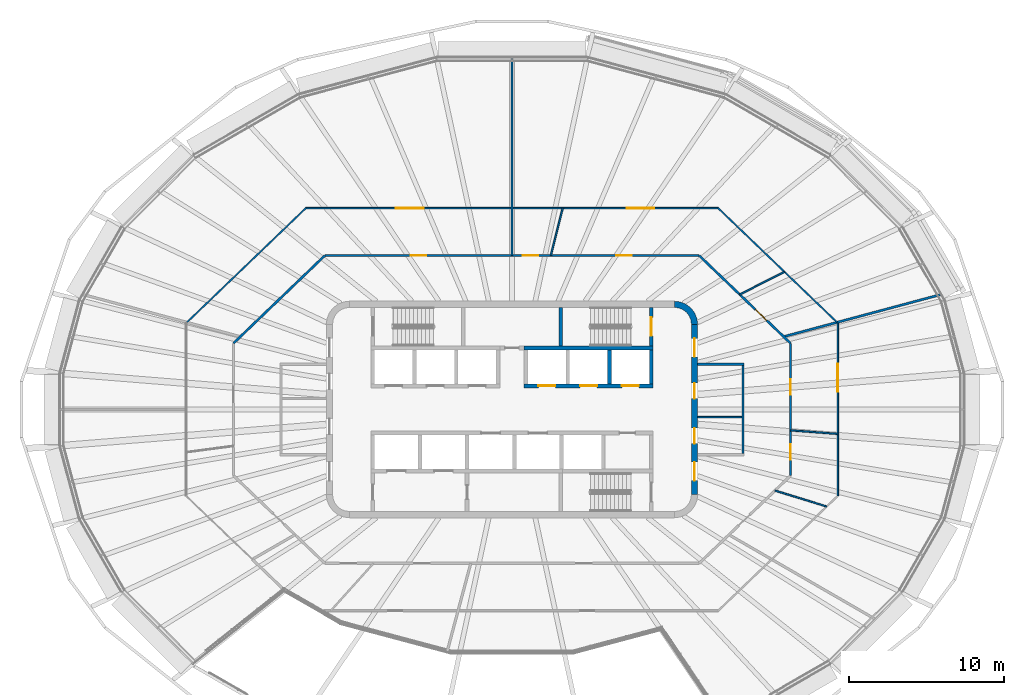
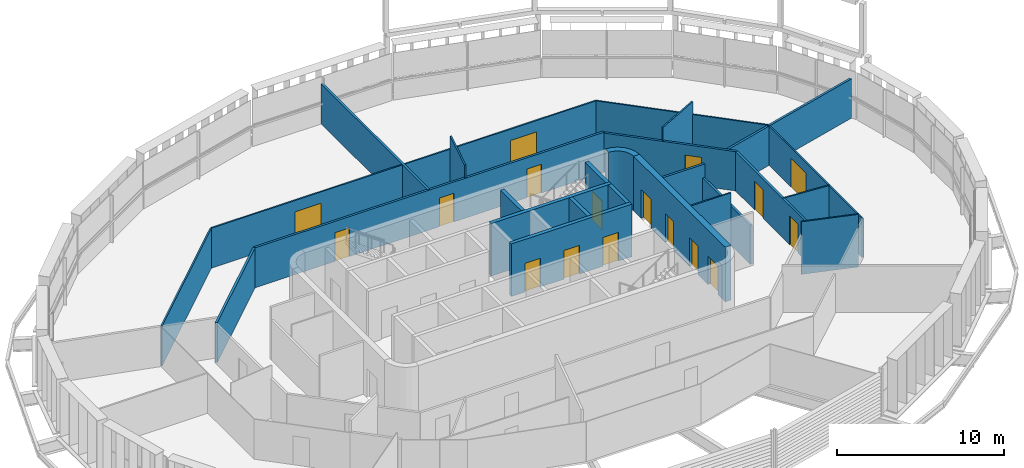
# One storey, part 11 of 19: 25 walls, 17 doors, 17 openings.
"""IFC4 building model written with IfcOpenShell, lengths in metres."""

from ifc_helpers import new_model, si_unit, direction, frame, frame_2d, origin, place, context, subcontext, project, spatial, polyline, rectangle, outline, extrude, material, layer, layer_set, type_object, element, fill, save


model = new_model("IFC4")

# Units and contexts
model_context = context("Model", 3, precision=1e-05, world=origin(), true_north=direction((0.0, 1.0)))
body_context = subcontext(model_context, "Body", "Model", "MODEL_VIEW")
ifc_project = project(units=[si_unit("LENGTHUNIT", "METRE"), si_unit("AREAUNIT", "SQUARE_METRE"), si_unit("VOLUMEUNIT", "CUBIC_METRE"), si_unit("PLANEANGLEUNIT", "RADIAN"), si_unit("MASSUNIT", "GRAM", prefix="KILO")], contexts=[model_context])

# Site, building, storey
site_placement = place(None, origin())
site = spatial("IfcSite", under=ifc_project, at=site_placement, CompositionType="ELEMENT")
building_placement = place(site_placement, origin())
building = spatial("IfcBuilding", under=site, at=building_placement, Name="Sahrelin Media Tower", CompositionType="ELEMENT")
storey_placement = place(building_placement, frame((0.0, 0.0, 279.0)))
storey = spatial("IfcBuildingStorey", under=building, at=storey_placement, Name="L61", CompositionType="ELEMENT", Elevation=279.0)

# Wall, openings, doors
ifc_material_1 = material(Name="Concrete C60/75", Category="concrete")
ifc_layer_1 = layer(ifc_material_1, 0.39990234375)
ifc_layer_set_1 = layer_set([ifc_layer_1], Name="Core wall 400")
wall_type_1 = type_object("IfcWallType", Name="Core wall 400", PredefinedType="SHEAR", material=ifc_layer_set_1)
wall_1_placement = place(storey_placement, frame((11.800048828125, -5.5, 0.0), z_axis=(0.0, 0.0, 1.0), x_axis=(0.0, 1.0, 0.0)))
wall_1 = element("IfcWall", 1, at=wall_1_placement, inside=storey, type_object=wall_type_1, Name="Core wall E L61", PredefinedType="SHEAR", context=body_context, shape_type="SweptSolid", body=[
    extrude(rectangle(XDim=11.0, YDim=0.39990234375, at=frame_2d((5.5, 0.0))), origin(), (0.0, 0.0, 1.0), 4.0),
])
opening_1_placement = place(wall_1_placement, frame((3.300048828125, 0.0, 0.0)))
opening_1 = element("IfcOpeningElement", 2, at=opening_1_placement, cuts=wall_1, Name="Opening L61-D10", PredefinedType="OPENING", context=body_context, shape_type="SweptSolid", body=[
    extrude(rectangle(XDim=1.0, YDim=2.10009765625, at=frame_2d((0.5, 1.050048828125))), frame((0.0, 0.199951171875, 0.0), z_axis=(0.0, -1.0, 0.0), x_axis=(1.0, 0.0, 0.0)), (0.0, 0.0, 1.0), 0.39990234375),
])
opening_2_placement = place(wall_1_placement, frame((6.199951171875, 0.0, 0.0)))
opening_2 = element("IfcOpeningElement", 3, at=opening_2_placement, cuts=wall_1, Name="Opening L61-D11", PredefinedType="OPENING", context=body_context, shape_type="SweptSolid", body=[
    extrude(rectangle(XDim=1.0, YDim=2.10009765625, at=frame_2d((0.5, 1.050048828125))), frame((0.0, 0.199951171875, 0.0), z_axis=(0.0, -1.0, 0.0), x_axis=(1.0, 0.0, 0.0)), (0.0, 0.0, 1.0), 0.39990234375),
])
opening_3_placement = place(wall_1_placement, frame((0.89990234375, 0.0, 0.0)))
opening_3 = element("IfcOpeningElement", 4, at=opening_3_placement, cuts=wall_1, Name="Opening L61-D14", PredefinedType="OPENING", context=body_context, shape_type="SweptSolid", body=[
    extrude(rectangle(XDim=1.199951171875, YDim=2.10009765625, at=frame_2d((0.60009765625, 1.050048828125))), frame((0.0, 0.199951171875, 0.0), z_axis=(0.0, -1.0, 0.0), x_axis=(1.0, 0.0, 0.0)), (0.0, 0.0, 1.0), 0.39990234375),
])
opening_4_placement = place(wall_1_placement, frame((8.89990234375, 0.0, 0.0)))
opening_4 = element("IfcOpeningElement", 5, at=opening_4_placement, cuts=wall_1, Name="Opening L61-D15", PredefinedType="OPENING", context=body_context, shape_type="SweptSolid", body=[
    extrude(rectangle(XDim=1.199951171875, YDim=2.10009765625, at=frame_2d((0.60009765625, 1.050048828125))), frame((0.0, 0.199951171875, 0.0), z_axis=(0.0, -1.0, 0.0), x_axis=(1.0, 0.0, 0.0)), (0.0, 0.0, 1.0), 0.39990234375),
])
ifc_material_2 = material(Name="Steel fire door leaf", Category="steel")
door_type_1 = type_object("IfcDoorType", Name="Fire door 1000 x 2100 EI 60", OperationType="NOTDEFINED", PredefinedType="DOOR", material=ifc_material_2)
door_1_placement = place(opening_1_placement, origin())
door_1 = element("IfcDoor", 6, at=door_1_placement, inside=storey, type_object=door_type_1, Name="Core room door", OperationType="SINGLE_SWING_RIGHT", OverallHeight=2.10009765625, OverallWidth=1.0, PredefinedType="DOOR", context=body_context, shape_type="SweptSolid", body=[
    extrude(rectangle(XDim=1.0, YDim=2.10009765625, at=frame_2d((0.5, 1.050048828125))), frame((0.0, 0.02490234375, 0.0), z_axis=(0.0, -1.0, 0.0), x_axis=(1.0, 0.0, 0.0)), (0.0, 0.0, 1.0), 0.050048828125),
])
fill(opening_1, door_1)
door_2_placement = place(opening_2_placement, origin())
door_2 = element("IfcDoor", 7, at=door_2_placement, inside=storey, type_object=door_type_1, Name="Core room door", OperationType="SINGLE_SWING_RIGHT", OverallHeight=2.10009765625, OverallWidth=1.0, PredefinedType="DOOR", context=body_context, shape_type="SweptSolid", body=[
    extrude(rectangle(XDim=1.0, YDim=2.10009765625, at=frame_2d((0.5, 1.050048828125))), frame((0.0, 0.02490234375, 0.0), z_axis=(0.0, -1.0, 0.0), x_axis=(1.0, 0.0, 0.0)), (0.0, 0.0, 1.0), 0.050048828125),
])
fill(opening_2, door_2)
door_type_2 = type_object("IfcDoorType", Name="Lobby door 1200 x 2100 EI 60", OperationType="NOTDEFINED", PredefinedType="DOOR", material=ifc_material_2)
door_3_placement = place(opening_3_placement, origin())
door_3 = element("IfcDoor", 8, at=door_3_placement, inside=storey, type_object=door_type_2, Name="Lobby door", OperationType="SINGLE_SWING_LEFT", OverallHeight=2.10009765625, OverallWidth=1.199951171875, PredefinedType="DOOR", context=body_context, shape_type="SweptSolid", body=[
    extrude(rectangle(XDim=1.199951171875, YDim=2.10009765625, at=frame_2d((0.60009765625, 1.050048828125))), frame((0.0, 0.02490234375, 0.0), z_axis=(0.0, -1.0, 0.0), x_axis=(1.0, 0.0, 0.0)), (0.0, 0.0, 1.0), 0.050048828125),
])
fill(opening_3, door_3)
door_4_placement = place(opening_4_placement, origin())
door_4 = element("IfcDoor", 9, at=door_4_placement, inside=storey, type_object=door_type_2, Name="Lobby door", OperationType="SINGLE_SWING_LEFT", OverallHeight=2.10009765625, OverallWidth=1.199951171875, PredefinedType="DOOR", context=body_context, shape_type="SweptSolid", body=[
    extrude(rectangle(XDim=1.199951171875, YDim=2.10009765625, at=frame_2d((0.60009765625, 1.050048828125))), frame((0.0, 0.02490234375, 0.0), z_axis=(0.0, -1.0, 0.0), x_axis=(1.0, 0.0, 0.0)), (0.0, 0.0, 1.0), 0.050048828125),
])
fill(opening_4, door_4)

# Walls
wall_2_placement = place(storey_placement, origin())
element("IfcWall", 10, at=wall_2_placement, inside=storey, type_object=wall_type_1, Name="Core wall corner NE L61", PredefinedType="SHEAR", context=body_context, shape_type="SweptSolid", body=[
    extrude(outline(polyline([(10.5, 7.0), (10.5, 6.596435546875), (10.78369140625, 6.55908203125), (11.04833984375, 6.44970703125), (11.275390625, 6.275390625), (11.44970703125, 6.04833984375), (11.55908203125, 5.78369140625), (11.596435546875, 5.5), (12.0, 5.5), (11.948974609375, 5.88818359375), (11.799072265625, 6.25), (11.560791015625, 6.560791015625), (11.25, 6.799072265625), (10.88818359375, 6.948974609375), (10.5, 7.0)])), origin(), (0.0, 0.0, 1.0), 4.0),
])
ifc_material_3 = material(Name="Fire-rated gypsum board partition")
ifc_layer_2 = layer(ifc_material_3, 0.10009765625)
ifc_layer_set_2 = layer_set([ifc_layer_2], Name="Fire-rated partition 100")
wall_type_2 = type_object("IfcWallType", Name="Fire-rated partition 100", PredefinedType="PARTITIONING", material=ifc_layer_set_2)
wall_3_placement = place(storey_placement, frame((12.0, -0.5, 0.0), z_axis=(0.0, 0.0, 1.0), x_axis=(1.0, 0.0, 0.0)))
element("IfcWall", 11, at=wall_3_placement, inside=storey, type_object=wall_type_2, Name="Core room partition", PredefinedType="PARTITIONING", context=body_context, shape_type="SweptSolid", body=[
    extrude(rectangle(XDim=2.85009765625, YDim=0.10009765625, at=frame_2d((1.425048828125, 0.0))), origin(), (0.0, 0.0, 1.0), 3.85009765625),
])
ifc_layer_3 = layer(ifc_material_3, 0.14990234375)
ifc_layer_set_3 = layer_set([ifc_layer_3], Name="Fire-rated partition 150")
wall_type_3 = type_object("IfcWallType", Name="Fire-rated partition 150", PredefinedType="PARTITIONING", material=ifc_layer_set_3)
wall_4_placement = place(storey_placement, frame((14.925048828125, -2.85009765625, 0.0), z_axis=(0.0, 0.0, 1.0), x_axis=(0.0, 1.0, 0.0)))
element("IfcWall", 12, at=wall_4_placement, inside=storey, type_object=wall_type_3, Name="Core room fire partition", PredefinedType="PARTITIONING", context=body_context, shape_type="SweptSolid", body=[
    extrude(rectangle(XDim=5.7001953125, YDim=0.14990234375, at=frame_2d((2.85009765625, 0.0))), origin(), (0.0, 0.0, 1.0), 2.8681640625),
])
wall_5_placement = place(storey_placement, frame((12.0, 2.925048828125, 0.0), z_axis=(0.0, 0.0, 1.0), x_axis=(1.0, 0.0, 0.0)))
element("IfcWall", 13, at=wall_5_placement, inside=storey, type_object=wall_type_3, Name="Core room fire partition", PredefinedType="PARTITIONING", context=body_context, shape_type="SweptSolid", body=[
    extrude(rectangle(XDim=3.0, YDim=0.14990234375, at=frame_2d((1.5, 0.0))), origin(), (0.0, 0.0, 1.0), 3.85009765625),
])

# Wall, opening, door
wall_6_placement = place(storey_placement, frame((12.0947265625, 9.94873046875, 0.0), z_axis=(0.0, 0.0, 1.0), x_axis=(0.721348586031, -0.692572174889, 0.0)))
wall_6 = element("IfcWall", 14, at=wall_6_placement, inside=storey, type_object=wall_type_3, Name="Wall", PredefinedType="PARTITIONING", context=body_context, shape_type="SweptSolid", body=[
    extrude(rectangle(XDim=8.18701171875, YDim=0.14990234375, at=frame_2d((4.093505859375, 0.0))), origin(), (0.0, 0.0, 1.0), 2.876953125),
])
opening_5_placement = place(wall_6_placement, frame((5.0498046875, 0.0, 0.0)))
opening_5 = element("IfcOpeningElement", 15, at=opening_5_placement, cuts=wall_6, Name="Opening L61-D22", PredefinedType="OPENING", context=body_context, shape_type="SweptSolid", body=[
    extrude(rectangle(XDim=1.0, YDim=2.10009765625, at=frame_2d((0.5, 1.050048828125))), frame((0.0, 0.074951171875, 0.0), z_axis=(0.0, -1.0, 0.0), x_axis=(1.0, 0.0, 0.0)), (0.0, 0.0, 1.0), 0.14990234375),
])
door_5_placement = place(opening_5_placement, origin())
door_5 = element("IfcDoor", 16, at=door_5_placement, inside=storey, type_object=door_type_1, Name="Fire door", OperationType="SINGLE_SWING_LEFT", OverallHeight=2.10009765625, OverallWidth=1.0, PredefinedType="DOOR", context=body_context, shape_type="SweptSolid", body=[
    extrude(rectangle(XDim=1.0, YDim=2.10009765625, at=frame_2d((0.5, 1.050048828125))), frame((0.0, 0.02490234375, 0.0), z_axis=(0.0, -1.0, 0.0), x_axis=(1.0, 0.0, 0.0)), (0.0, 0.0, 1.0), 0.050048828125),
])
fill(opening_5, door_5)

# Wall, openings, doors
wall_7_placement = place(storey_placement, frame((-12.094970703125, 9.948974609375, 0.0), z_axis=(0.0, 0.0, 1.0), x_axis=(1.0, 0.0, 0.0)))
wall_7 = element("IfcWall", 17, at=wall_7_placement, inside=storey, type_object=wall_type_3, Name="Wall", PredefinedType="PARTITIONING", context=body_context, shape_type="SweptSolid", body=[
    extrude(rectangle(XDim=24.18994140625, YDim=0.14990234375, at=frame_2d((12.094970703125, 0.0))), origin(), (0.0, 0.0, 1.0), 2.927001953125),
])
opening_6_placement = place(wall_7_placement, frame((18.846435546875, 0.0, 0.0)))
opening_6 = element("IfcOpeningElement", 18, at=opening_6_placement, cuts=wall_7, Name="Opening L61-D23", PredefinedType="OPENING", context=body_context, shape_type="SweptSolid", body=[
    extrude(rectangle(XDim=1.0, YDim=2.10009765625, at=frame_2d((0.5, 1.050048828125))), frame((0.0, 0.074951171875, 0.0), z_axis=(0.0, -1.0, 0.0), x_axis=(1.0, 0.0, 0.0)), (0.0, 0.0, 1.0), 0.14990234375),
])
opening_7_placement = place(wall_7_placement, frame((12.798095703125, 0.0, 0.0)))
opening_7 = element("IfcOpeningElement", 19, at=opening_7_placement, cuts=wall_7, Name="Opening L61-D24", PredefinedType="OPENING", context=body_context, shape_type="SweptSolid", body=[
    extrude(rectangle(XDim=1.0, YDim=2.10009765625, at=frame_2d((0.5, 1.050048828125))), frame((0.0, 0.074951171875, 0.0), z_axis=(0.0, -1.0, 0.0), x_axis=(1.0, 0.0, 0.0)), (0.0, 0.0, 1.0), 0.14990234375),
])
opening_8_placement = place(wall_7_placement, frame((5.547607421875, 0.0, 0.0)))
opening_8 = element("IfcOpeningElement", 20, at=opening_8_placement, cuts=wall_7, Name="Opening L61-D26", PredefinedType="OPENING", context=body_context, shape_type="SweptSolid", body=[
    extrude(rectangle(XDim=1.0, YDim=2.10009765625, at=frame_2d((0.5, 1.050048828125))), frame((0.0, 0.074951171875, 0.0), z_axis=(0.0, -1.0, 0.0), x_axis=(1.0, 0.0, 0.0)), (0.0, 0.0, 1.0), 0.14990234375),
])
door_6_placement = place(opening_6_placement, origin())
door_6 = element("IfcDoor", 21, at=door_6_placement, inside=storey, type_object=door_type_1, Name="Fire door", OperationType="SINGLE_SWING_RIGHT", OverallHeight=2.10009765625, OverallWidth=1.0, PredefinedType="DOOR", context=body_context, shape_type="SweptSolid", body=[
    extrude(rectangle(XDim=1.0, YDim=2.10009765625, at=frame_2d((0.5, 1.050048828125))), frame((0.0, 0.02490234375, 0.0), z_axis=(0.0, -1.0, 0.0), x_axis=(1.0, 0.0, 0.0)), (0.0, 0.0, 1.0), 0.050048828125),
])
fill(opening_6, door_6)
door_7_placement = place(opening_7_placement, origin())
door_7 = element("IfcDoor", 22, at=door_7_placement, inside=storey, type_object=door_type_1, Name="Fire door", OperationType="SINGLE_SWING_LEFT", OverallHeight=2.10009765625, OverallWidth=1.0, PredefinedType="DOOR", context=body_context, shape_type="SweptSolid", body=[
    extrude(rectangle(XDim=1.0, YDim=2.10009765625, at=frame_2d((0.5, 1.050048828125))), frame((0.0, 0.02490234375, 0.0), z_axis=(0.0, -1.0, 0.0), x_axis=(1.0, 0.0, 0.0)), (0.0, 0.0, 1.0), 0.050048828125),
])
fill(opening_7, door_7)
door_8_placement = place(opening_8_placement, origin())
door_8 = element("IfcDoor", 23, at=door_8_placement, inside=storey, type_object=door_type_1, Name="Fire door", OperationType="SINGLE_SWING_LEFT", OverallHeight=2.10009765625, OverallWidth=1.0, PredefinedType="DOOR", context=body_context, shape_type="SweptSolid", body=[
    extrude(rectangle(XDim=1.0, YDim=2.10009765625, at=frame_2d((0.5, 1.050048828125))), frame((0.0, 0.02490234375, 0.0), z_axis=(0.0, -1.0, 0.0), x_axis=(1.0, 0.0, 0.0)), (0.0, 0.0, 1.0), 0.050048828125),
])
fill(opening_8, door_8)

# Walls
wall_8_placement = place(storey_placement, frame((17.555908203125, 4.7041015625, 0.0), z_axis=(0.0, 0.0, 1.0), x_axis=(0.96591926591, 0.258843527528, 0.0)))
element("IfcWall", 24, at=wall_8_placement, inside=storey, type_object=wall_type_3, Name="Wall", PredefinedType="PARTITIONING", context=body_context, shape_type="SweptSolid", body=[
    extrude(rectangle(XDim=10.56298828125, YDim=0.14990234375, at=frame_2d((5.281494140625, 0.0))), origin(), (0.0, 0.0, 1.0), 2.876953125),
])
wall_9_placement = place(storey_placement, frame((-18.0, 4.278076171875, 0.0), z_axis=(0.0, 0.0, 1.0), x_axis=(0.72131938425, 0.692602588722, 0.0)))
element("IfcWall", 25, at=wall_9_placement, inside=storey, type_object=wall_type_3, Name="Wall", PredefinedType="PARTITIONING", context=body_context, shape_type="SweptSolid", body=[
    extrude(rectangle(XDim=8.18701171875, YDim=0.14990234375, at=frame_2d((4.093505859375, 0.0))), origin(), (0.0, 0.0, 1.0), 2.927001953125),
])

# Wall, openings, doors
wall_10_placement = place(storey_placement, frame((18.0, -4.278076171875, 0.0), z_axis=(0.0, 0.0, 1.0), x_axis=(0.0, 1.0, 0.0)))
wall_10 = element("IfcWall", 26, at=wall_10_placement, inside=storey, type_object=wall_type_3, Name="Wall", PredefinedType="PARTITIONING", context=body_context, shape_type="SweptSolid", body=[
    extrude(rectangle(XDim=8.55615234375, YDim=0.14990234375, at=frame_2d((4.278076171875, 0.0))), origin(), (0.0, 0.0, 1.0), 2.8681640625),
])
opening_9_placement = place(wall_10_placement, frame((1.0166015625, 0.0, 0.0)))
opening_9 = element("IfcOpeningElement", 27, at=opening_9_placement, cuts=wall_10, Name="Opening L61-D19", PredefinedType="OPENING", context=body_context, shape_type="SweptSolid", body=[
    extrude(rectangle(XDim=1.0, YDim=2.10009765625, at=frame_2d((0.5, 1.050048828125))), frame((0.0, 0.074951171875, 0.0), z_axis=(0.0, -1.0, 0.0), x_axis=(1.0, 0.0, 0.0)), (0.0, 0.0, 1.0), 0.14990234375),
])
opening_10_placement = place(wall_10_placement, frame((5.242431640625, 0.0, 0.0)))
opening_10 = element("IfcOpeningElement", 28, at=opening_10_placement, cuts=wall_10, Name="Opening L61-D20", PredefinedType="OPENING", context=body_context, shape_type="SweptSolid", body=[
    extrude(rectangle(XDim=1.0, YDim=2.10009765625, at=frame_2d((0.5, 1.050048828125))), frame((0.0, 0.074951171875, 0.0), z_axis=(0.0, -1.0, 0.0), x_axis=(1.0, 0.0, 0.0)), (0.0, 0.0, 1.0), 0.14990234375),
])
door_9_placement = place(opening_9_placement, origin())
door_9 = element("IfcDoor", 29, at=door_9_placement, inside=storey, type_object=door_type_1, Name="Fire door", OperationType="SINGLE_SWING_LEFT", OverallHeight=2.10009765625, OverallWidth=1.0, PredefinedType="DOOR", context=body_context, shape_type="SweptSolid", body=[
    extrude(rectangle(XDim=1.0, YDim=2.10009765625, at=frame_2d((0.5, 1.050048828125))), frame((0.0, 0.02490234375, 0.0), z_axis=(0.0, -1.0, 0.0), x_axis=(1.0, 0.0, 0.0)), (0.0, 0.0, 1.0), 0.050048828125),
])
fill(opening_9, door_9)
door_10_placement = place(opening_10_placement, origin())
door_10 = element("IfcDoor", 30, at=door_10_placement, inside=storey, type_object=door_type_1, Name="Fire door", OperationType="SINGLE_SWING_RIGHT", OverallHeight=2.10009765625, OverallWidth=1.0, PredefinedType="DOOR", context=body_context, shape_type="SweptSolid", body=[
    extrude(rectangle(XDim=1.0, YDim=2.10009765625, at=frame_2d((0.5, 1.050048828125))), frame((0.0, 0.02490234375, 0.0), z_axis=(0.0, -1.0, 0.0), x_axis=(1.0, 0.0, 0.0)), (0.0, 0.0, 1.0), 0.050048828125),
])
fill(opening_10, door_10)

# Wall
wall_11_placement = place(storey_placement, frame((0.0, 9.948974609375, 0.0), z_axis=(0.0, 0.0, 1.0), x_axis=(0.0, 1.0, 0.0)))
element("IfcWall", 31, at=wall_11_placement, inside=storey, type_object=wall_type_3, Name="Wall", PredefinedType="PARTITIONING", context=body_context, shape_type="SweptSolid", body=[
    extrude(rectangle(XDim=12.817138671875, YDim=0.14990234375, at=frame_2d((6.40869140625, 0.0))), origin(), (0.0, 0.0, 1.0), 2.927001953125),
])

# Wall, openings, doors
ifc_layer_4 = layer(ifc_material_1, 0.25)
ifc_layer_set_4 = layer_set([ifc_layer_4], Name="Lift shaft wall 250")
wall_type_4 = type_object("IfcWallType", Name="Lift shaft wall 250", PredefinedType="SOLIDWALL", material=ifc_layer_set_4)
wall_12_placement = place(storey_placement, frame((0.77490234375, 1.52490234375, 0.0), z_axis=(0.0, 0.0, 1.0), x_axis=(1.0, 0.0, 0.0)))
wall_12 = element("IfcWall", 32, at=wall_12_placement, inside=storey, type_object=wall_type_4, Name="Lift shaft wall", PredefinedType="SOLIDWALL", context=body_context, shape_type="SweptSolid", body=[
    extrude(rectangle(XDim=8.35009765625, YDim=0.25, at=frame_2d((4.175048828125, 0.0))), origin(), (0.0, 0.0, 1.0), 3.85009765625),
])
opening_11_placement = place(wall_12_placement, frame((0.925048828125, 0.0, 0.0)))
opening_11 = element("IfcOpeningElement", 33, at=opening_11_placement, cuts=wall_12, Name="Opening L61-LD-HR4", PredefinedType="OPENING", context=body_context, shape_type="SweptSolid", body=[
    extrude(rectangle(XDim=1.10009765625, YDim=2.10009765625, at=frame_2d((0.550048828125, 1.050048828125))), frame((0.0, 0.125, 0.0), z_axis=(0.0, -1.0, 0.0), x_axis=(1.0, 0.0, 0.0)), (0.0, 0.0, 1.0), 0.25),
])
opening_12_placement = place(wall_12_placement, frame((3.625, 0.0, 0.0)))
opening_12 = element("IfcOpeningElement", 34, at=opening_12_placement, cuts=wall_12, Name="Opening L61-LD-HR5", PredefinedType="OPENING", context=body_context, shape_type="SweptSolid", body=[
    extrude(rectangle(XDim=1.10009765625, YDim=2.10009765625, at=frame_2d((0.550048828125, 1.050048828125))), frame((0.0, 0.125, 0.0), z_axis=(0.0, -1.0, 0.0), x_axis=(1.0, 0.0, 0.0)), (0.0, 0.0, 1.0), 0.25),
])
opening_13_placement = place(wall_12_placement, frame((6.324951171875, 0.0, 0.0)))
opening_13 = element("IfcOpeningElement", 35, at=opening_13_placement, cuts=wall_12, Name="Opening L61-LD-HR6", PredefinedType="OPENING", context=body_context, shape_type="SweptSolid", body=[
    extrude(rectangle(XDim=1.10009765625, YDim=2.10009765625, at=frame_2d((0.550048828125, 1.050048828125))), frame((0.0, 0.125, 0.0), z_axis=(0.0, -1.0, 0.0), x_axis=(1.0, 0.0, 0.0)), (0.0, 0.0, 1.0), 0.25),
])
ifc_material_4 = material(Name="Stainless steel", Category="steel")
door_type_3 = type_object("IfcDoorType", Name="Lift landing door 1100 x 2100 EI 120", OperationType="DOUBLE_DOOR_SLIDING", PredefinedType="DOOR", material=ifc_material_4)
door_11_placement = place(opening_11_placement, origin())
door_11 = element("IfcDoor", 36, at=door_11_placement, inside=storey, type_object=door_type_3, Name="Lift landing door HR4", OperationType="DOUBLE_DOOR_SLIDING", OverallHeight=2.10009765625, OverallWidth=1.10009765625, PredefinedType="DOOR", context=body_context, shape_type="SweptSolid", body=[
    extrude(rectangle(XDim=1.10009765625, YDim=2.10009765625, at=frame_2d((0.550048828125, 1.050048828125))), frame((0.0, 0.02490234375, 0.0), z_axis=(0.0, -1.0, 0.0), x_axis=(1.0, 0.0, 0.0)), (0.0, 0.0, 1.0), 0.050048828125),
])
fill(opening_11, door_11)
door_12_placement = place(opening_12_placement, origin())
door_12 = element("IfcDoor", 37, at=door_12_placement, inside=storey, type_object=door_type_3, Name="Lift landing door HR5", OperationType="DOUBLE_DOOR_SLIDING", OverallHeight=2.10009765625, OverallWidth=1.10009765625, PredefinedType="DOOR", context=body_context, shape_type="SweptSolid", body=[
    extrude(rectangle(XDim=1.10009765625, YDim=2.10009765625, at=frame_2d((0.550048828125, 1.050048828125))), frame((0.0, 0.02490234375, 0.0), z_axis=(0.0, -1.0, 0.0), x_axis=(1.0, 0.0, 0.0)), (0.0, 0.0, 1.0), 0.050048828125),
])
fill(opening_12, door_12)
door_13_placement = place(opening_13_placement, origin())
door_13 = element("IfcDoor", 38, at=door_13_placement, inside=storey, type_object=door_type_3, Name="Lift landing door HR6", OperationType="DOUBLE_DOOR_SLIDING", OverallHeight=2.10009765625, OverallWidth=1.10009765625, PredefinedType="DOOR", context=body_context, shape_type="SweptSolid", body=[
    extrude(rectangle(XDim=1.10009765625, YDim=2.10009765625, at=frame_2d((0.550048828125, 1.050048828125))), frame((0.0, 0.02490234375, 0.0), z_axis=(0.0, -1.0, 0.0), x_axis=(1.0, 0.0, 0.0)), (0.0, 0.0, 1.0), 0.050048828125),
])
fill(opening_13, door_13)

# Walls
wall_13_placement = place(storey_placement, frame((0.77490234375, 3.97509765625, 0.0), z_axis=(0.0, 0.0, 1.0), x_axis=(1.0, 0.0, 0.0)))
element("IfcWall", 39, at=wall_13_placement, inside=storey, type_object=wall_type_4, Name="Lift shaft wall", PredefinedType="SOLIDWALL", context=body_context, shape_type="SweptSolid", body=[
    extrude(rectangle(XDim=8.35009765625, YDim=0.25, at=frame_2d((4.175048828125, 0.0))), origin(), (0.0, 0.0, 1.0), 3.85009765625),
])
for number, where, z_axis, x_axis, name in (
    (40, (9.0, 1.64990234375, 0.0), (0.0, 0.0, 1.0), (0.0, 1.0, 0.0), "Lift shaft wall"),
    (41, (6.300048828125, 1.64990234375, 0.0), (0.0, 0.0, 1.0), (0.0, 1.0, 0.0), "Lift shaft wall"),
):
    element("IfcWall", number, at=place(storey_placement, frame(where, z_axis=z_axis, x_axis=x_axis)), inside=storey, type_object=wall_type_4, Name=name, PredefinedType="SOLIDWALL", context=body_context, shape_type="SweptSolid", body=[
        extrude(rectangle(XDim=2.2001953125, YDim=0.25, at=frame_2d((1.10009765625, 0.0))), origin(), (0.0, 0.0, 1.0), 3.85009765625),
    ])
ifc_material_5 = material(Name="Gypsum board partition")
ifc_layer_5 = layer(ifc_material_5, 0.10009765625)
ifc_layer_set_5 = layer_set([ifc_layer_5], Name="Partition 100")
wall_type_5 = type_object("IfcWallType", Name="Partition 100", PredefinedType="PARTITIONING", material=ifc_layer_set_5)
wall_14_placement = place(storey_placement, frame((13.32568359375, 13.0087890625, 0.0), z_axis=(0.0, 0.0, 1.0), x_axis=(0.721273282207, -0.692650599057, 0.0)))
element("IfcWall", 42, at=wall_14_placement, inside=storey, type_object=wall_type_5, Name="Wall", PredefinedType="PARTITIONING", context=body_context, shape_type="SweptSolid", body=[
    extrude(rectangle(XDim=10.653564453125, YDim=0.10009765625, at=frame_2d((5.32666015625, 0.0))), origin(), (0.0, 0.0, 1.0), 2.927001953125),
])
wall_15_placement = place(storey_placement, frame((16.99609375, -5.242919921875, 0.0), z_axis=(0.0, 0.0, 1.0), x_axis=(0.955611410755, -0.294629991065, 0.0)))
element("IfcWall", 43, at=wall_15_placement, inside=storey, type_object=wall_type_5, Name="Wall", PredefinedType="PARTITIONING", context=body_context, shape_type="SweptSolid", body=[
    extrude(rectangle(XDim=3.499267578125, YDim=0.10009765625, at=frame_2d((1.74951171875, 0.0))), origin(), (0.0, 0.0, 1.0), 3.85009765625),
])
wall_16_placement = place(storey_placement, frame((18.0, -1.34912109375, 0.0), z_axis=(0.0, 0.0, 1.0), x_axis=(0.997217378468, -0.074548642383, 0.0)))
element("IfcWall", 44, at=wall_16_placement, inside=storey, type_object=wall_type_5, Name="Wall", PredefinedType="PARTITIONING", context=body_context, shape_type="SweptSolid", body=[
    extrude(rectangle(XDim=3.068603515625, YDim=0.10009765625, at=frame_2d((1.5341796875, 0.0))), origin(), (0.0, 0.0, 1.0), 2.8681640625),
])

# Wall, openings, doors
wall_17_placement = place(storey_placement, frame((-13.325927734375, 13.009033203125, 0.0), z_axis=(0.0, 0.0, 1.0), x_axis=(1.0, 0.0, 0.0)))
wall_17 = element("IfcWall", 45, at=wall_17_placement, inside=storey, type_object=wall_type_5, Name="Wall", PredefinedType="PARTITIONING", context=body_context, shape_type="SweptSolid", body=[
    extrude(rectangle(XDim=26.65185546875, YDim=0.10009765625, at=frame_2d((13.325927734375, 0.0))), origin(), (0.0, 0.0, 1.0), 2.927001953125),
])
opening_14_placement = place(wall_17_placement, frame((20.72900390625, 0.0, 0.0)))
opening_14 = element("IfcOpeningElement", 46, at=opening_14_placement, cuts=wall_17, Name="Opening L61-D25", PredefinedType="OPENING", context=body_context, shape_type="SweptSolid", body=[
    extrude(rectangle(XDim=1.800048828125, YDim=2.10009765625, at=frame_2d((0.89990234375, 1.050048828125))), frame((0.0, 0.050048828125, 0.0), z_axis=(0.0, -1.0, 0.0), x_axis=(1.0, 0.0, 0.0)), (0.0, 0.0, 1.0), 0.10009765625),
])
opening_15_placement = place(wall_17_placement, frame((5.81298828125, 0.0, 0.0)))
opening_15 = element("IfcOpeningElement", 47, at=opening_15_placement, cuts=wall_17, Name="Opening L61-D27", PredefinedType="OPENING", context=body_context, shape_type="SweptSolid", body=[
    extrude(rectangle(XDim=1.800048828125, YDim=2.10009765625, at=frame_2d((0.89990234375, 1.050048828125))), frame((0.0, 0.050048828125, 0.0), z_axis=(0.0, -1.0, 0.0), x_axis=(1.0, 0.0, 0.0)), (0.0, 0.0, 1.0), 0.10009765625),
])
ifc_material_6 = material(Name="Timber door leaf", Category="wood")
door_type_4 = type_object("IfcDoorType", Name="Double door 1800 x 2100", OperationType="DOUBLE_DOOR_SINGLE_SWING", PredefinedType="DOOR", material=ifc_material_6)
door_14_placement = place(opening_14_placement, origin())
door_14 = element("IfcDoor", 48, at=door_14_placement, inside=storey, type_object=door_type_4, Name="Double door", OperationType="DOUBLE_DOOR_SINGLE_SWING", OverallHeight=2.10009765625, OverallWidth=1.800048828125, PredefinedType="DOOR", context=body_context, shape_type="SweptSolid", body=[
    extrude(rectangle(XDim=1.800048828125, YDim=2.10009765625, at=frame_2d((0.89990234375, 1.050048828125))), frame((0.0, 0.02490234375, 0.0), z_axis=(0.0, -1.0, 0.0), x_axis=(1.0, 0.0, 0.0)), (0.0, 0.0, 1.0), 0.050048828125),
])
fill(opening_14, door_14)
door_15_placement = place(opening_15_placement, origin())
door_15 = element("IfcDoor", 49, at=door_15_placement, inside=storey, type_object=door_type_4, Name="Double door", OperationType="DOUBLE_DOOR_SINGLE_SWING", OverallHeight=2.10009765625, OverallWidth=1.800048828125, PredefinedType="DOOR", context=body_context, shape_type="SweptSolid", body=[
    extrude(rectangle(XDim=1.800048828125, YDim=2.10009765625, at=frame_2d((0.89990234375, 1.050048828125))), frame((0.0, 0.02490234375, 0.0), z_axis=(0.0, -1.0, 0.0), x_axis=(1.0, 0.0, 0.0)), (0.0, 0.0, 1.0), 0.050048828125),
])
fill(opening_15, door_15)

# Walls
wall_18_placement = place(storey_placement, frame((14.717041015625, 7.430908203125, 0.0), z_axis=(0.0, 0.0, 1.0), x_axis=(0.892430828446, 0.4511842378, 0.0)))
element("IfcWall", 50, at=wall_18_placement, inside=storey, type_object=wall_type_5, Name="Wall", PredefinedType="PARTITIONING", context=body_context, shape_type="SweptSolid", body=[
    extrude(rectangle(XDim=3.242919921875, YDim=0.10009765625, at=frame_2d((1.62158203125, 0.0))), origin(), (0.0, 0.0, 1.0), 3.85009765625),
])
wall_19_placement = place(storey_placement, frame((-21.010009765625, 5.6298828125, 0.0), z_axis=(0.0, 0.0, 1.0), x_axis=(0.721217397593, 0.692708788315, 0.0)))
element("IfcWall", 51, at=wall_19_placement, inside=storey, type_object=wall_type_5, Name="Wall", PredefinedType="PARTITIONING", context=body_context, shape_type="SweptSolid", body=[
    extrude(rectangle(XDim=10.6533203125, YDim=0.10009765625, at=frame_2d((5.32666015625, 0.0))), origin(), (0.0, 0.0, 1.0), 2.927001953125),
])
wall_20_placement = place(storey_placement, frame((2.509033203125, 9.948974609375, 0.0), z_axis=(0.0, 0.0, 1.0), x_axis=(0.244319164476, 0.96969487256, 0.0)))
element("IfcWall", 52, at=wall_20_placement, inside=storey, type_object=wall_type_5, Name="Wall", PredefinedType="PARTITIONING", context=body_context, shape_type="SweptSolid", body=[
    extrude(rectangle(XDim=3.15576171875, YDim=0.10009765625, at=frame_2d((1.577880859375, 0.0))), origin(), (0.0, 0.0, 1.0), 3.85009765625),
])

# Wall, opening, door
wall_21_placement = place(storey_placement, frame((21.06005859375, -5.58203125, 0.0), z_axis=(0.0, 0.0, 1.0), x_axis=(0.0, 1.0, 0.0)))
wall_21 = element("IfcWall", 53, at=wall_21_placement, inside=storey, type_object=wall_type_5, Name="Wall", PredefinedType="PARTITIONING", context=body_context, shape_type="SweptSolid", body=[
    extrude(rectangle(XDim=11.1640625, YDim=0.10009765625, at=frame_2d((5.58203125, 0.0))), origin(), (0.0, 0.0, 1.0), 2.8681640625),
])
opening_16_placement = place(wall_21_placement, frame((6.734619140625, 0.0, 0.0)))
opening_16 = element("IfcOpeningElement", 54, at=opening_16_placement, cuts=wall_21, Name="Opening L61-D21", PredefinedType="OPENING", context=body_context, shape_type="SweptSolid", body=[
    extrude(rectangle(XDim=1.800048828125, YDim=2.10009765625, at=frame_2d((0.89990234375, 1.050048828125))), frame((0.0, 0.050048828125, 0.0), z_axis=(0.0, -1.0, 0.0), x_axis=(1.0, 0.0, 0.0)), (0.0, 0.0, 1.0), 0.10009765625),
])
door_16_placement = place(opening_16_placement, origin())
door_16 = element("IfcDoor", 55, at=door_16_placement, inside=storey, type_object=door_type_4, Name="Double door", OperationType="DOUBLE_DOOR_SINGLE_SWING", OverallHeight=2.10009765625, OverallWidth=1.800048828125, PredefinedType="DOOR", context=body_context, shape_type="SweptSolid", body=[
    extrude(rectangle(XDim=1.800048828125, YDim=2.10009765625, at=frame_2d((0.89990234375, 1.050048828125))), frame((0.0, 0.02490234375, 0.0), z_axis=(0.0, -1.0, 0.0), x_axis=(1.0, 0.0, 0.0)), (0.0, 0.0, 1.0), 0.050048828125),
])
fill(opening_16, door_16)

ifc_layer_6 = layer(ifc_material_1, 0.25)
ifc_layer_set_6 = layer_set([ifc_layer_6], Name="Stair enclosure wall 250")
wall_type_6 = type_object("IfcWallType", Name="Stair enclosure wall 250", PredefinedType="SOLIDWALL", material=ifc_layer_set_6)
wall_22_placement = place(storey_placement, frame((9.0, 4.10009765625, 0.0), z_axis=(0.0, 0.0, 1.0), x_axis=(0.0, 1.0, 0.0)))
wall_22 = element("IfcWall", 56, at=wall_22_placement, inside=storey, type_object=wall_type_6, Name="Stair enclosure wall", PredefinedType="SOLIDWALL", context=body_context, shape_type="SweptSolid", body=[
    extrude(rectangle(XDim=2.5, YDim=0.25, at=frame_2d((1.25, 0.0))), origin(), (0.0, 0.0, 1.0), 3.85009765625),
])
opening_17_placement = place(wall_22_placement, frame((0.64990234375, 0.0, 0.0)))
opening_17 = element("IfcOpeningElement", 57, at=opening_17_placement, cuts=wall_22, Name="Opening L61-D02", PredefinedType="OPENING", context=body_context, shape_type="SweptSolid", body=[
    extrude(rectangle(XDim=1.199951171875, YDim=2.10009765625, at=frame_2d((0.60009765625, 1.050048828125))), frame((0.0, 0.125, 0.0), z_axis=(0.0, -1.0, 0.0), x_axis=(1.0, 0.0, 0.0)), (0.0, 0.0, 1.0), 0.25),
])
door_type_5 = type_object("IfcDoorType", Name="Stair door 1200 x 2100 EI 120", OperationType="NOTDEFINED", PredefinedType="DOOR", material=ifc_material_2)
door_17_placement = place(opening_17_placement, origin())
door_17 = element("IfcDoor", 58, at=door_17_placement, inside=storey, type_object=door_type_5, Name="Stair door ST3", OperationType="SINGLE_SWING_LEFT", OverallHeight=2.10009765625, OverallWidth=1.199951171875, PredefinedType="DOOR", context=body_context, shape_type="SweptSolid", body=[
    extrude(rectangle(XDim=1.199951171875, YDim=2.10009765625, at=frame_2d((0.60009765625, 1.050048828125))), frame((0.0, 0.02490234375, 0.0), z_axis=(0.0, -1.0, 0.0), x_axis=(1.0, 0.0, 0.0)), (0.0, 0.0, 1.0), 0.050048828125),
])
fill(opening_17, door_17)

# Wall
wall_23_placement = place(storey_placement, frame((3.14990234375, 4.10009765625, 0.0), z_axis=(0.0, 0.0, 1.0), x_axis=(0.0, 1.0, 0.0)))
element("IfcWall", 59, at=wall_23_placement, inside=storey, type_object=wall_type_6, Name="Stair enclosure wall", PredefinedType="SOLIDWALL", context=body_context, shape_type="SweptSolid", body=[
    extrude(rectangle(XDim=2.5, YDim=0.25, at=frame_2d((1.25, 0.0))), origin(), (0.0, 0.0, 1.0), 3.85009765625),
])

save(model, "model.ifc")
